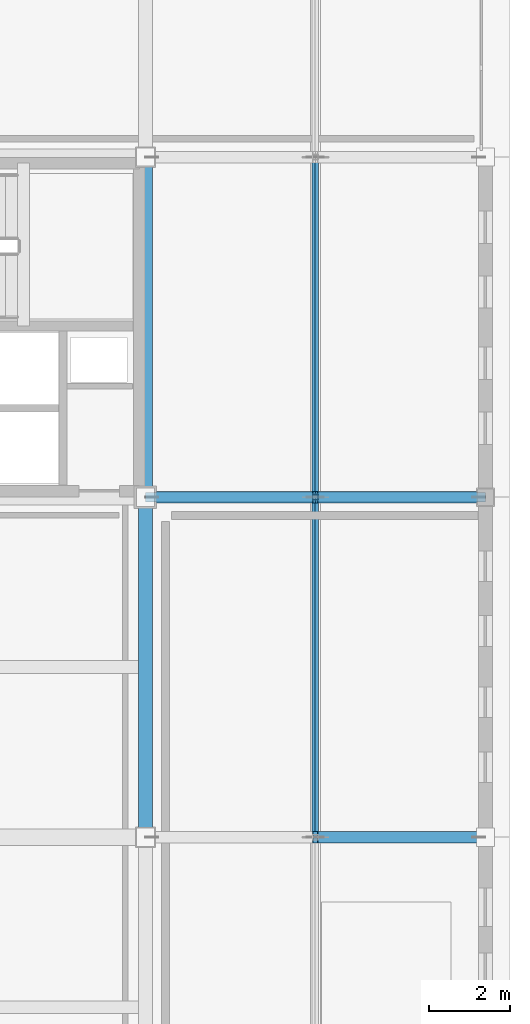
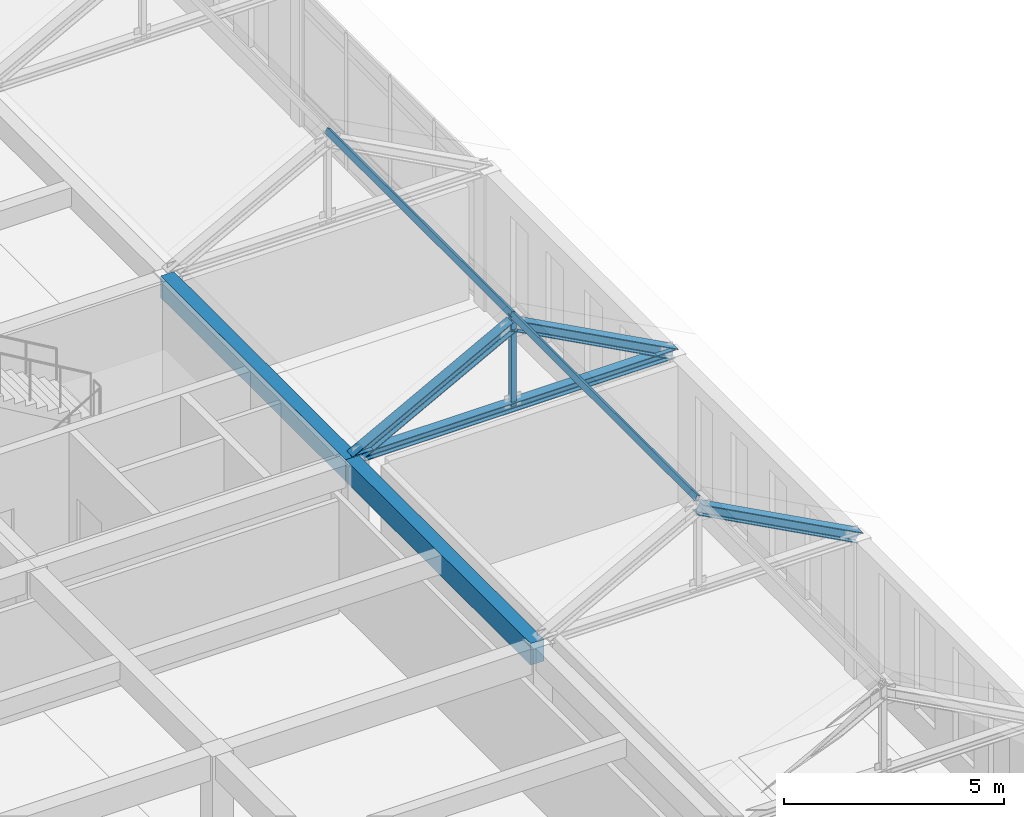
# One storey, part 13 of 36: 7 members, 2 beams.
"""IFC4 building model written with IfcOpenShell, lengths in metres."""

from ifc_helpers import new_model, si_unit, direction, frame, origin, origin_2d, place, context, subcontext, project, spatial, rectangle, hollow_rectangle, i_section, extrude, material, material_profile, profile_set, type_object, element, save


model = new_model("IFC4")

# Units and contexts
model_context = context("Model", 3, precision=1e-05, world=origin(), true_north=direction((0.0, 1.0)))
body_context = subcontext(model_context, "Body", "Model", "MODEL_VIEW")
ifc_project = project(units=[si_unit("LENGTHUNIT", "METRE"), si_unit("AREAUNIT", "SQUARE_METRE"), si_unit("VOLUMEUNIT", "CUBIC_METRE"), si_unit("PLANEANGLEUNIT", "RADIAN"), si_unit("MASSUNIT", "GRAM", prefix="KILO")], contexts=[model_context])

# Site, building, storey
site_placement = place(None, origin())
site = spatial("IfcSite", under=ifc_project, at=site_placement, CompositionType="ELEMENT")
building_placement = place(site_placement, origin())
building = spatial("IfcBuilding", under=site, at=building_placement, Name="Kveldsbrygga Polytechnic", CompositionType="ELEMENT")
storey_placement = place(building_placement, frame((0.0, 0.0, 22.10009765625)))
storey = spatial("IfcBuildingStorey", under=building, at=storey_placement, Name="L05", CompositionType="ELEMENT", Elevation=22.10009765625)

# Beams
ifc_material_1 = material(Name="Concrete C35/45", Category="concrete")
ifc_material_profile_1 = material_profile(ifc_material_1, rectangle(XDim=0.35009765625, YDim=0.60009765625, at=origin_2d()), Name="RC 350x600")
ifc_profile_set_1 = profile_set([ifc_material_profile_1], Name="Concrete C35/45")
beam_type = type_object("IfcBeamType", Name="BM-SPANDREL-600", PredefinedType="T_BEAM", material=ifc_profile_set_1)
beam_1_placement = place(storey_placement, frame((159.60009765625, 67.199951171875, 3.47998046875), z_axis=(0.0, 1.0, 0.0), x_axis=(-1.0, 0.0, 0.0)))
element("IfcBeam", 1, at=beam_1_placement, inside=storey, type_object=beam_type, Name="Primary Beam BMY-L05-19-08to09", PredefinedType="T_BEAM", context=body_context, shape_type="SweptSolid", body=[
    extrude(rectangle(XDim=0.35009765625, YDim=0.60009765625, at=origin_2d()), origin(), (0.0, 0.0, 1.0), 8.400146484375),
])
beam_2_placement = place(storey_placement, frame((159.60009765625, 75.60009765625, 3.47998046875), z_axis=(0.0, 1.0, 0.0), x_axis=(-1.0, 0.0, 0.0)))
element("IfcBeam", 2, at=beam_2_placement, inside=storey, type_object=beam_type, Name="Primary Beam BMY-L05-19-09to10", PredefinedType="T_BEAM", context=body_context, shape_type="SweptSolid", body=[
    extrude(rectangle(XDim=0.35009765625, YDim=0.60009765625, at=origin_2d()), origin(), (0.0, 0.0, 1.0), 8.39990234375),
])

# Members
ifc_material_2 = material(Name="Steel S355", Category="steel")
ifc_material_profile_2 = material_profile(ifc_material_2, hollow_rectangle(XDim=0.10009765625, YDim=0.14990234375, WallThickness=0.008056640625, at=origin_2d()), Name="RHS 150x100x8.0")
ifc_profile_set_2 = profile_set([ifc_material_profile_2], Name="Steel S355")
member_type_1 = type_object("IfcMemberType", Name="PRL-RHS150", PredefinedType="PURLIN", material=ifc_profile_set_2)
member_1_placement = place(storey_placement, frame((163.800048828125, 67.199951171875, 6.27392578125), z_axis=(0.0, 1.0, 0.0), x_axis=(-0.881479888517, 0.0, 0.472221564671)))
element("IfcMember", 3, at=member_1_placement, inside=storey, type_object=member_type_1, Name="Roof Purlin V4E6-PRL-7-1", PredefinedType="PURLIN", context=body_context, shape_type="SweptSolid", body=[
    extrude(hollow_rectangle(XDim=0.10009765625, YDim=0.14990234375, WallThickness=0.008056640625, at=origin_2d()), origin(), (0.0, 0.0, 1.0), 8.400146484375),
])
member_2_placement = place(storey_placement, frame((163.800048828125, 75.60009765625, 6.27392578125), z_axis=(0.0, 1.0, 0.0), x_axis=(-0.881479888517, 0.0, 0.472221564671)))
element("IfcMember", 4, at=member_2_placement, inside=storey, type_object=member_type_1, Name="Roof Purlin V4E6-PRL-8-1", PredefinedType="PURLIN", context=body_context, shape_type="SweptSolid", body=[
    extrude(hollow_rectangle(XDim=0.10009765625, YDim=0.14990234375, WallThickness=0.008056640625, at=origin_2d()), origin(), (0.0, 0.0, 1.0), 8.39990234375),
])
ifc_material_profile_3 = material_profile(ifc_material_2, i_section(OverallWidth=0.239990234375, OverallDepth=0.239990234375, WebThickness=0.010009765625, FlangeThickness=0.01708984375, FilletRadius=0.02099609375, at=origin_2d()), Name="HEB 240")
ifc_profile_set_3 = profile_set([ifc_material_profile_3], Name="Steel S355")
member_type_2 = type_object("IfcMemberType", Name="TR-BOT-HEB240", PredefinedType="CHORD", material=ifc_profile_set_3)
member_3_placement = place(storey_placement, frame((159.60009765625, 75.60009765625, 3.77978515625), z_axis=(1.0, 0.0, 0.0), x_axis=(0.0, 1.0, 0.0)))
element("IfcMember", 5, at=member_3_placement, inside=storey, type_object=member_type_2, Name="Truss Bottom Chord V4E6-T08-BC-1", PredefinedType="CHORD", context=body_context, shape_type="SweptSolid", body=[
    extrude(i_section(OverallWidth=0.239990234375, OverallDepth=0.239990234375, WebThickness=0.010009765625, FlangeThickness=0.01708984375, FilletRadius=0.02099609375, at=origin_2d()), origin(), (0.0, 0.0, 1.0), 8.39990234375),
])
ifc_material_profile_4 = material_profile(ifc_material_2, hollow_rectangle(XDim=0.139892578125, YDim=0.139892578125, WallThickness=0.008056640625, at=origin_2d()), Name="SHS 140x140x8.0")
ifc_profile_set_4 = profile_set([ifc_material_profile_4], Name="Steel S355")
member_type_3 = type_object("IfcMemberType", Name="TR-POST-SHS140", PredefinedType="STRUT", material=ifc_profile_set_4)
member_4_placement = place(storey_placement, frame((163.800048828125, 75.60009765625, 3.77978515625), z_axis=(0.0, 0.0, 1.0), x_axis=(1.0, 0.0, 0.0)))
element("IfcMember", 6, at=member_4_placement, inside=storey, type_object=member_type_3, Name="Truss Vertical V4E6-T08-VT-1", PredefinedType="STRUT", context=body_context, shape_type="SweptSolid", body=[
    extrude(hollow_rectangle(XDim=0.139892578125, YDim=0.139892578125, WallThickness=0.008056640625, at=origin_2d()), origin(), (0.0, 0.0, 1.0), 2.494140625),
])
ifc_material_profile_5 = material_profile(ifc_material_2, i_section(OverallWidth=0.280029296875, OverallDepth=0.280029296875, WebThickness=0.010498046875, FlangeThickness=0.01806640625, FilletRadius=0.02392578125, at=origin_2d()), Name="HEB 280")
ifc_profile_set_5 = profile_set([ifc_material_profile_5], Name="Steel S355")
member_type_4 = type_object("IfcMemberType", Name="TR-TOP-HEB280", PredefinedType="CHORD", material=ifc_profile_set_5)
for number, where, z_axis, x_axis, name in (
    (7, (163.800048828125, 67.199951171875, 6.02978515625), (0.881477684796, 0.0, -0.472225678258), (0.0, 1.0, 0.0), "Truss Top Chord V4E6-T07-TC-2"),
    (8, (159.60009765625, 75.60009765625, 3.77978515625), (0.881477684796, 0.0, 0.472225678258), (0.0, 1.0, 0.0), "Truss Top Chord V4E6-T08-TC-1"),
    (9, (163.800048828125, 75.60009765625, 6.02978515625), (0.881477684796, 0.0, -0.472225678258), (0.0, 1.0, 0.0), "Truss Top Chord V4E6-T08-TC-2"),
):
    element("IfcMember", number, at=place(storey_placement, frame(where, z_axis=z_axis, x_axis=x_axis)), inside=storey, type_object=member_type_4, Name=name, PredefinedType="CHORD", context=body_context, shape_type="SweptSolid", body=[
        extrude(i_section(OverallWidth=0.280029296875, OverallDepth=0.280029296875, WebThickness=0.010498046875, FlangeThickness=0.01806640625, FilletRadius=0.02392578125, at=origin_2d()), origin(), (0.0, 0.0, 1.0), 4.7646484375),
    ])

save(model, "model.ifc")
